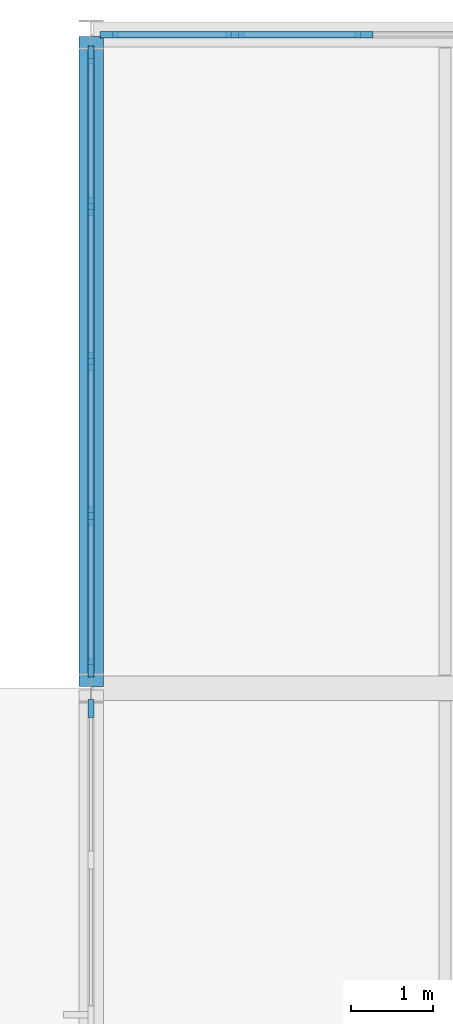
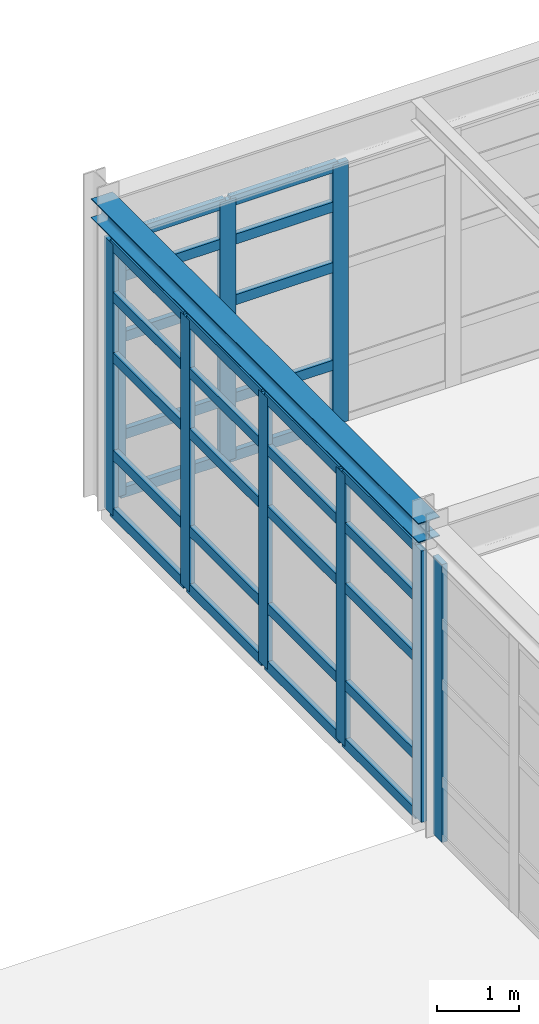
# One storey, part 60 of 139: 39 members, 1 beam, 3 elements without a shape of their own.
"""IFC4 building model written with IfcOpenShell, lengths in metres."""

from ifc_helpers import new_model, si_unit, direction, frame, origin, origin_2d, place, context, subcontext, project, spatial, rectangle, i_section, extrude, material, layer, layer_set, material_profile, profile_set, type_object, element, aggregate, save


model = new_model("IFC4")

# Units and contexts
model_context = context("Model", 3, precision=1e-05, world=origin(), true_north=direction((0.0, 1.0)))
body_context = subcontext(model_context, "Body", "Model", "MODEL_VIEW")
ifc_project = project(units=[si_unit("LENGTHUNIT", "METRE"), si_unit("AREAUNIT", "SQUARE_METRE"), si_unit("VOLUMEUNIT", "CUBIC_METRE"), si_unit("PLANEANGLEUNIT", "RADIAN"), si_unit("MASSUNIT", "GRAM", prefix="KILO"), si_unit("THERMODYNAMICTEMPERATUREUNIT", "KELVIN"), si_unit("POWERUNIT", "WATT")], contexts=[model_context])

# Site, building, storey
site_placement = place(None, origin())
site = spatial("IfcSite", under=ifc_project, at=site_placement, CompositionType="ELEMENT")
building_placement = place(site_placement, origin())
building = spatial("IfcBuilding", under=site, at=building_placement, Name="Korenveer Ferry Terminal", CompositionType="ELEMENT")
storey_placement = place(building_placement, frame((0.0, 0.0, 5.39990234375)))
storey = spatial("IfcBuildingStorey", under=building, at=storey_placement, Name="L01", CompositionType="ELEMENT", Elevation=5.39990234375)

# Curtain wall, members
ifc_material_1 = material(Name="Unitised bronze-and-glass curtain wall", Category="glass")
ifc_layer_1 = layer(ifc_material_1, 0.219970703125)
ifc_layer_set_1 = layer_set([ifc_layer_1], Name="Unitised bronze-and-glass curtain wall")
curtain_wall_type_1 = type_object("IfcCurtainWallType", Name="ENV-CW-57", PredefinedType="USERDEFINED", material=ifc_layer_set_1)
curtain_wall_1_placement = place(storey_placement, frame((123.179931640625, 116.0, 0.0)))
curtain_wall_1 = element("IfcCurtainWall", 1, at=curtain_wall_1_placement, inside=storey, type_object=curtain_wall_type_1, Name="Lancet curtain wall CWX-L01-X123-136-Y116-116", ObjectType="UNITISED CURTAIN WALL", PredefinedType="USERDEFINED")
ifc_material_2 = material(Name="Anodised bronze aluminium", Category="aluminium")
ifc_material_profile_1 = material_profile(ifc_material_2, rectangle(XDim=0.074951171875, YDim=0.219970703125, at=origin_2d()), Name="ALU 75x220")
ifc_profile_set_1 = profile_set([ifc_material_profile_1], Name="Anodised bronze aluminium")
member_type_1 = type_object("IfcMemberType", Name="ENV-CWM-75X220", PredefinedType="MULLION", material=ifc_profile_set_1)
member_1_placement = place(storey_placement, frame((123.217529296875, 116.0, 0.0), z_axis=(0.0, 0.0, 1.0), x_axis=(0.0, 1.0, 0.0)))
member_1 = element("IfcMember", 2, at=member_1_placement, type_object=member_type_1, Name="CW-57 mullion 1", PredefinedType="MULLION", context=body_context, shape_type="SweptSolid", body=[
    extrude(rectangle(XDim=0.074951171875, YDim=0.219970703125, at=origin_2d()), origin(), (0.0, 0.0, 1.0), 3.8701171875),
])
member_2_placement = place(storey_placement, frame((124.76171875, 116.0, 0.0), z_axis=(0.0, 0.0, 1.0), x_axis=(0.0, 1.0, 0.0)))
member_2 = element("IfcMember", 3, at=member_2_placement, type_object=member_type_1, Name="CW-57 mullion 2", PredefinedType="MULLION", context=body_context, shape_type="SweptSolid", body=[
    extrude(rectangle(XDim=0.074951171875, YDim=0.219970703125, at=origin_2d()), origin(), (0.0, 0.0, 1.0), 3.8701171875),
])
member_3_placement = place(storey_placement, frame((126.34326171875, 116.0, 0.0), z_axis=(0.0, 0.0, 1.0), x_axis=(0.0, 1.0, 0.0)))
member_3 = element("IfcMember", 4, at=member_3_placement, type_object=member_type_1, Name="CW-57 mullion 3", PredefinedType="MULLION", context=body_context, shape_type="SweptSolid", body=[
    extrude(rectangle(XDim=0.074951171875, YDim=0.219970703125, at=origin_2d()), origin(), (0.0, 0.0, 1.0), 3.8701171875),
])

# Curtain wall, member
ifc_layer_2 = layer(ifc_material_1, 0.219970703125)
ifc_layer_set_2 = layer_set([ifc_layer_2], Name="Unitised bronze-and-glass curtain wall")
curtain_wall_type_2 = type_object("IfcCurtainWallType", Name="ENV-CW-72", PredefinedType="USERDEFINED", material=ifc_layer_set_2)
curtain_wall_2_placement = place(storey_placement, frame((123.0, 100.2099609375, 0.0)))
curtain_wall_2 = element("IfcCurtainWall", 5, at=curtain_wall_2_placement, inside=storey, type_object=curtain_wall_type_2, Name="Lancet curtain wall CWX-L01-X123-123-Y100-108", ObjectType="UNITISED CURTAIN WALL", PredefinedType="USERDEFINED")
member_4_placement = place(storey_placement, frame((123.0, 107.75244140625, 0.0), z_axis=(0.0, 0.0, 1.0), x_axis=(-1.0, 0.0, 0.0)))
member_4 = element("IfcMember", 6, at=member_4_placement, type_object=member_type_1, Name="CW-72 mullion 5", PredefinedType="MULLION", context=body_context, shape_type="SweptSolid", body=[
    extrude(rectangle(XDim=0.074951171875, YDim=0.219970703125, at=origin_2d()), origin(), (0.0, 0.0, 1.0), 4.130126953125),
])
aggregate(curtain_wall_2, [member_4])

# Curtain wall, members
ifc_layer_3 = layer(ifc_material_1, 0.219970703125)
ifc_layer_set_3 = layer_set([ifc_layer_3], Name="Unitised bronze-and-glass curtain wall")
curtain_wall_type_3 = type_object("IfcCurtainWallType", Name="ENV-CW-75", PredefinedType="USERDEFINED", material=ifc_layer_set_3)
curtain_wall_3_placement = place(storey_placement, frame((123.0, 108.2099609375, 0.0)))
curtain_wall_3 = element("IfcCurtainWall", 7, at=curtain_wall_3_placement, inside=storey, type_object=curtain_wall_type_3, Name="Lancet curtain wall CWX-L01-X123-123-Y108-116", ObjectType="UNITISED CURTAIN WALL", PredefinedType="USERDEFINED")
member_5_placement = place(storey_placement, frame((123.0, 108.24755859375, 0.0), z_axis=(0.0, 0.0, 1.0), x_axis=(-1.0, 0.0, 0.0)))
member_5 = element("IfcMember", 8, at=member_5_placement, type_object=member_type_1, Name="CW-75 mullion 1", PredefinedType="MULLION", context=body_context, shape_type="SweptSolid", body=[
    extrude(rectangle(XDim=0.074951171875, YDim=0.219970703125, at=origin_2d()), origin(), (0.0, 0.0, 1.0), 4.030029296875),
])
member_6_placement = place(storey_placement, frame((123.0, 110.10498046875, 0.0), z_axis=(0.0, 0.0, 1.0), x_axis=(-1.0, 0.0, 0.0)))
member_6 = element("IfcMember", 9, at=member_6_placement, type_object=member_type_1, Name="CW-75 mullion 2", PredefinedType="MULLION", context=body_context, shape_type="SweptSolid", body=[
    extrude(rectangle(XDim=0.074951171875, YDim=0.219970703125, at=origin_2d()), origin(), (0.0, 0.0, 1.0), 4.030029296875),
])
member_7_placement = place(storey_placement, frame((123.0, 112.0, 0.0), z_axis=(0.0, 0.0, 1.0), x_axis=(-1.0, 0.0, 0.0)))
member_7 = element("IfcMember", 10, at=member_7_placement, type_object=member_type_1, Name="CW-75 mullion 3", PredefinedType="MULLION", context=body_context, shape_type="SweptSolid", body=[
    extrude(rectangle(XDim=0.074951171875, YDim=0.219970703125, at=origin_2d()), origin(), (0.0, 0.0, 1.0), 4.030029296875),
])
member_8_placement = place(storey_placement, frame((123.0, 113.89501953125, 0.0), z_axis=(0.0, 0.0, 1.0), x_axis=(-1.0, 0.0, 0.0)))
member_8 = element("IfcMember", 11, at=member_8_placement, type_object=member_type_1, Name="CW-75 mullion 4", PredefinedType="MULLION", context=body_context, shape_type="SweptSolid", body=[
    extrude(rectangle(XDim=0.074951171875, YDim=0.219970703125, at=origin_2d()), origin(), (0.0, 0.0, 1.0), 4.030029296875),
])
member_9_placement = place(storey_placement, frame((123.0, 115.75244140625, 0.0), z_axis=(0.0, 0.0, 1.0), x_axis=(-1.0, 0.0, 0.0)))
member_9 = element("IfcMember", 12, at=member_9_placement, type_object=member_type_1, Name="CW-75 mullion 5", PredefinedType="MULLION", context=body_context, shape_type="SweptSolid", body=[
    extrude(rectangle(XDim=0.074951171875, YDim=0.219970703125, at=origin_2d()), origin(), (0.0, 0.0, 1.0), 4.030029296875),
])

# Member
ifc_material_profile_2 = material_profile(ifc_material_2, rectangle(XDim=0.074951171875, YDim=0.14990234375, at=origin_2d()), Name="ALU 75x150")
ifc_profile_set_2 = profile_set([ifc_material_profile_2], Name="Anodised bronze aluminium")
member_type_2 = type_object("IfcMemberType", Name="ENV-CWT-75X150", PredefinedType="USERDEFINED", material=ifc_profile_set_2)
member_10_placement = place(storey_placement, frame((123.2548828125, 116.0, 0.03759765625), z_axis=(1.0, 0.0, 0.0), x_axis=(0.0, 1.0, 0.0)))
member_10 = element("IfcMember", 13, at=member_10_placement, type_object=member_type_2, Name="CW-57 transom 1.1", ObjectType="TRANSOM", PredefinedType="USERDEFINED", context=body_context, shape_type="SweptSolid", body=[
    extrude(rectangle(XDim=0.074951171875, YDim=0.14990234375, at=origin_2d()), origin(), (0.0, 0.0, 1.0), 1.46923828125),
])

member_11_placement = place(storey_placement, frame((123.2548828125, 116.0, 0.900146484375), z_axis=(1.0, 0.0, 0.0), x_axis=(0.0, 1.0, 0.0)))
member_11 = element("IfcMember", 14, at=member_11_placement, type_object=member_type_2, Name="CW-57 transom 1.2", ObjectType="TRANSOM", PredefinedType="USERDEFINED", context=body_context, shape_type="SweptSolid", body=[
    extrude(rectangle(XDim=0.074951171875, YDim=0.14990234375, at=origin_2d()), origin(), (0.0, 0.0, 1.0), 1.46923828125),
])

member_12_placement = place(storey_placement, frame((123.2548828125, 116.0, 2.35009765625), z_axis=(1.0, 0.0, 0.0), x_axis=(0.0, 1.0, 0.0)))
member_12 = element("IfcMember", 15, at=member_12_placement, type_object=member_type_2, Name="CW-57 transom 1.3", ObjectType="TRANSOM", PredefinedType="USERDEFINED", context=body_context, shape_type="SweptSolid", body=[
    extrude(rectangle(XDim=0.074951171875, YDim=0.14990234375, at=origin_2d()), origin(), (0.0, 0.0, 1.0), 1.46923828125),
])

member_13_placement = place(storey_placement, frame((123.2548828125, 116.0, 3.25), z_axis=(1.0, 0.0, 0.0), x_axis=(0.0, 1.0, 0.0)))
member_13 = element("IfcMember", 16, at=member_13_placement, type_object=member_type_2, Name="CW-57 transom 1.4", ObjectType="TRANSOM", PredefinedType="USERDEFINED", context=body_context, shape_type="SweptSolid", body=[
    extrude(rectangle(XDim=0.074951171875, YDim=0.14990234375, at=origin_2d()), origin(), (0.0, 0.0, 1.0), 1.46923828125),
])

member_14_placement = place(storey_placement, frame((123.2548828125, 116.0, 3.83251953125), z_axis=(1.0, 0.0, 0.0), x_axis=(0.0, 1.0, 0.0)))
member_14 = element("IfcMember", 17, at=member_14_placement, type_object=member_type_2, Name="CW-57 transom 1.5", ObjectType="TRANSOM", PredefinedType="USERDEFINED", context=body_context, shape_type="SweptSolid", body=[
    extrude(rectangle(XDim=0.074951171875, YDim=0.14990234375, at=origin_2d()), origin(), (0.0, 0.0, 1.0), 1.46923828125),
])

member_15_placement = place(storey_placement, frame((124.799072265625, 116.0, 0.03759765625), z_axis=(1.0, 0.0, 0.0), x_axis=(0.0, 1.0, 0.0)))
member_15 = element("IfcMember", 18, at=member_15_placement, type_object=member_type_2, Name="CW-57 transom 2.1", ObjectType="TRANSOM", PredefinedType="USERDEFINED", context=body_context, shape_type="SweptSolid", body=[
    extrude(rectangle(XDim=0.074951171875, YDim=0.14990234375, at=origin_2d()), origin(), (0.0, 0.0, 1.0), 1.5068359375),
])

member_16_placement = place(storey_placement, frame((124.799072265625, 116.0, 0.900146484375), z_axis=(1.0, 0.0, 0.0), x_axis=(0.0, 1.0, 0.0)))
member_16 = element("IfcMember", 19, at=member_16_placement, type_object=member_type_2, Name="CW-57 transom 2.2", ObjectType="TRANSOM", PredefinedType="USERDEFINED", context=body_context, shape_type="SweptSolid", body=[
    extrude(rectangle(XDim=0.074951171875, YDim=0.14990234375, at=origin_2d()), origin(), (0.0, 0.0, 1.0), 1.5068359375),
])

member_17_placement = place(storey_placement, frame((124.799072265625, 116.0, 2.35009765625), z_axis=(1.0, 0.0, 0.0), x_axis=(0.0, 1.0, 0.0)))
member_17 = element("IfcMember", 20, at=member_17_placement, type_object=member_type_2, Name="CW-57 transom 2.3", ObjectType="TRANSOM", PredefinedType="USERDEFINED", context=body_context, shape_type="SweptSolid", body=[
    extrude(rectangle(XDim=0.074951171875, YDim=0.14990234375, at=origin_2d()), origin(), (0.0, 0.0, 1.0), 1.5068359375),
])

member_18_placement = place(storey_placement, frame((124.799072265625, 116.0, 3.25), z_axis=(1.0, 0.0, 0.0), x_axis=(0.0, 1.0, 0.0)))
member_18 = element("IfcMember", 21, at=member_18_placement, type_object=member_type_2, Name="CW-57 transom 2.4", ObjectType="TRANSOM", PredefinedType="USERDEFINED", context=body_context, shape_type="SweptSolid", body=[
    extrude(rectangle(XDim=0.074951171875, YDim=0.14990234375, at=origin_2d()), origin(), (0.0, 0.0, 1.0), 1.5068359375),
])

member_19_placement = place(storey_placement, frame((124.799072265625, 116.0, 3.83251953125), z_axis=(1.0, 0.0, 0.0), x_axis=(0.0, 1.0, 0.0)))
member_19 = element("IfcMember", 22, at=member_19_placement, type_object=member_type_2, Name="CW-57 transom 2.5", ObjectType="TRANSOM", PredefinedType="USERDEFINED", context=body_context, shape_type="SweptSolid", body=[
    extrude(rectangle(XDim=0.074951171875, YDim=0.14990234375, at=origin_2d()), origin(), (0.0, 0.0, 1.0), 1.5068359375),
])

aggregate(curtain_wall_1, [member_1, member_2, member_3, member_10, member_11, member_12, member_13, member_14, member_15, member_16, member_17, member_18, member_19])

member_20_placement = place(storey_placement, frame((123.0, 108.284912109375, 0.03759765625), z_axis=(0.0, 1.0, 0.0), x_axis=(-1.0, 0.0, 0.0)))
member_20 = element("IfcMember", 23, at=member_20_placement, type_object=member_type_2, Name="CW-75 transom 1.1", ObjectType="TRANSOM", PredefinedType="USERDEFINED", context=body_context, shape_type="SweptSolid", body=[
    extrude(rectangle(XDim=0.074951171875, YDim=0.14990234375, at=origin_2d()), origin(), (0.0, 0.0, 1.0), 1.782470703125),
])

member_21_placement = place(storey_placement, frame((123.0, 108.284912109375, 0.900146484375), z_axis=(0.0, 1.0, 0.0), x_axis=(-1.0, 0.0, 0.0)))
member_21 = element("IfcMember", 24, at=member_21_placement, type_object=member_type_2, Name="CW-75 transom 1.2", ObjectType="TRANSOM", PredefinedType="USERDEFINED", context=body_context, shape_type="SweptSolid", body=[
    extrude(rectangle(XDim=0.074951171875, YDim=0.14990234375, at=origin_2d()), origin(), (0.0, 0.0, 1.0), 1.782470703125),
])

member_22_placement = place(storey_placement, frame((123.0, 108.284912109375, 2.35009765625), z_axis=(0.0, 1.0, 0.0), x_axis=(-1.0, 0.0, 0.0)))
member_22 = element("IfcMember", 25, at=member_22_placement, type_object=member_type_2, Name="CW-75 transom 1.3", ObjectType="TRANSOM", PredefinedType="USERDEFINED", context=body_context, shape_type="SweptSolid", body=[
    extrude(rectangle(XDim=0.074951171875, YDim=0.14990234375, at=origin_2d()), origin(), (0.0, 0.0, 1.0), 1.782470703125),
])

member_23_placement = place(storey_placement, frame((123.0, 108.284912109375, 3.25), z_axis=(0.0, 1.0, 0.0), x_axis=(-1.0, 0.0, 0.0)))
member_23 = element("IfcMember", 26, at=member_23_placement, type_object=member_type_2, Name="CW-75 transom 1.4", ObjectType="TRANSOM", PredefinedType="USERDEFINED", context=body_context, shape_type="SweptSolid", body=[
    extrude(rectangle(XDim=0.074951171875, YDim=0.14990234375, at=origin_2d()), origin(), (0.0, 0.0, 1.0), 1.782470703125),
])

member_24_placement = place(storey_placement, frame((123.0, 108.284912109375, 3.99267578125), z_axis=(0.0, 1.0, 0.0), x_axis=(-1.0, 0.0, 0.0)))
member_24 = element("IfcMember", 27, at=member_24_placement, type_object=member_type_2, Name="CW-75 transom 1.5", ObjectType="TRANSOM", PredefinedType="USERDEFINED", context=body_context, shape_type="SweptSolid", body=[
    extrude(rectangle(XDim=0.074951171875, YDim=0.14990234375, at=origin_2d()), origin(), (0.0, 0.0, 1.0), 1.782470703125),
])

member_25_placement = place(storey_placement, frame((123.0, 110.142578125, 0.03759765625), z_axis=(0.0, 1.0, 0.0), x_axis=(-1.0, 0.0, 0.0)))
member_25 = element("IfcMember", 28, at=member_25_placement, type_object=member_type_2, Name="CW-75 transom 2.1", ObjectType="TRANSOM", PredefinedType="USERDEFINED", context=body_context, shape_type="SweptSolid", body=[
    extrude(rectangle(XDim=0.074951171875, YDim=0.14990234375, at=origin_2d()), origin(), (0.0, 0.0, 1.0), 1.81982421875),
])

member_26_placement = place(storey_placement, frame((123.0, 110.142578125, 0.900146484375), z_axis=(0.0, 1.0, 0.0), x_axis=(-1.0, 0.0, 0.0)))
member_26 = element("IfcMember", 29, at=member_26_placement, type_object=member_type_2, Name="CW-75 transom 2.2", ObjectType="TRANSOM", PredefinedType="USERDEFINED", context=body_context, shape_type="SweptSolid", body=[
    extrude(rectangle(XDim=0.074951171875, YDim=0.14990234375, at=origin_2d()), origin(), (0.0, 0.0, 1.0), 1.81982421875),
])

member_27_placement = place(storey_placement, frame((123.0, 110.142578125, 2.35009765625), z_axis=(0.0, 1.0, 0.0), x_axis=(-1.0, 0.0, 0.0)))
member_27 = element("IfcMember", 30, at=member_27_placement, type_object=member_type_2, Name="CW-75 transom 2.3", ObjectType="TRANSOM", PredefinedType="USERDEFINED", context=body_context, shape_type="SweptSolid", body=[
    extrude(rectangle(XDim=0.074951171875, YDim=0.14990234375, at=origin_2d()), origin(), (0.0, 0.0, 1.0), 1.81982421875),
])

member_28_placement = place(storey_placement, frame((123.0, 110.142578125, 3.25), z_axis=(0.0, 1.0, 0.0), x_axis=(-1.0, 0.0, 0.0)))
member_28 = element("IfcMember", 31, at=member_28_placement, type_object=member_type_2, Name="CW-75 transom 2.4", ObjectType="TRANSOM", PredefinedType="USERDEFINED", context=body_context, shape_type="SweptSolid", body=[
    extrude(rectangle(XDim=0.074951171875, YDim=0.14990234375, at=origin_2d()), origin(), (0.0, 0.0, 1.0), 1.81982421875),
])

member_29_placement = place(storey_placement, frame((123.0, 110.142578125, 3.99267578125), z_axis=(0.0, 1.0, 0.0), x_axis=(-1.0, 0.0, 0.0)))
member_29 = element("IfcMember", 32, at=member_29_placement, type_object=member_type_2, Name="CW-75 transom 2.5", ObjectType="TRANSOM", PredefinedType="USERDEFINED", context=body_context, shape_type="SweptSolid", body=[
    extrude(rectangle(XDim=0.074951171875, YDim=0.14990234375, at=origin_2d()), origin(), (0.0, 0.0, 1.0), 1.81982421875),
])

member_30_placement = place(storey_placement, frame((123.0, 112.03759765625, 0.03759765625), z_axis=(0.0, 1.0, 0.0), x_axis=(-1.0, 0.0, 0.0)))
member_30 = element("IfcMember", 33, at=member_30_placement, type_object=member_type_2, Name="CW-75 transom 3.1", ObjectType="TRANSOM", PredefinedType="USERDEFINED", context=body_context, shape_type="SweptSolid", body=[
    extrude(rectangle(XDim=0.074951171875, YDim=0.14990234375, at=origin_2d()), origin(), (0.0, 0.0, 1.0), 1.81982421875),
])

member_31_placement = place(storey_placement, frame((123.0, 112.03759765625, 0.900146484375), z_axis=(0.0, 1.0, 0.0), x_axis=(-1.0, 0.0, 0.0)))
member_31 = element("IfcMember", 34, at=member_31_placement, type_object=member_type_2, Name="CW-75 transom 3.2", ObjectType="TRANSOM", PredefinedType="USERDEFINED", context=body_context, shape_type="SweptSolid", body=[
    extrude(rectangle(XDim=0.074951171875, YDim=0.14990234375, at=origin_2d()), origin(), (0.0, 0.0, 1.0), 1.81982421875),
])

member_32_placement = place(storey_placement, frame((123.0, 112.03759765625, 2.35009765625), z_axis=(0.0, 1.0, 0.0), x_axis=(-1.0, 0.0, 0.0)))
member_32 = element("IfcMember", 35, at=member_32_placement, type_object=member_type_2, Name="CW-75 transom 3.3", ObjectType="TRANSOM", PredefinedType="USERDEFINED", context=body_context, shape_type="SweptSolid", body=[
    extrude(rectangle(XDim=0.074951171875, YDim=0.14990234375, at=origin_2d()), origin(), (0.0, 0.0, 1.0), 1.81982421875),
])

member_33_placement = place(storey_placement, frame((123.0, 112.03759765625, 3.25), z_axis=(0.0, 1.0, 0.0), x_axis=(-1.0, 0.0, 0.0)))
member_33 = element("IfcMember", 36, at=member_33_placement, type_object=member_type_2, Name="CW-75 transom 3.4", ObjectType="TRANSOM", PredefinedType="USERDEFINED", context=body_context, shape_type="SweptSolid", body=[
    extrude(rectangle(XDim=0.074951171875, YDim=0.14990234375, at=origin_2d()), origin(), (0.0, 0.0, 1.0), 1.81982421875),
])

member_34_placement = place(storey_placement, frame((123.0, 112.03759765625, 3.99267578125), z_axis=(0.0, 1.0, 0.0), x_axis=(-1.0, 0.0, 0.0)))
member_34 = element("IfcMember", 37, at=member_34_placement, type_object=member_type_2, Name="CW-75 transom 3.5", ObjectType="TRANSOM", PredefinedType="USERDEFINED", context=body_context, shape_type="SweptSolid", body=[
    extrude(rectangle(XDim=0.074951171875, YDim=0.14990234375, at=origin_2d()), origin(), (0.0, 0.0, 1.0), 1.81982421875),
])

member_35_placement = place(storey_placement, frame((123.0, 113.9326171875, 0.03759765625), z_axis=(0.0, 1.0, 0.0), x_axis=(-1.0, 0.0, 0.0)))
member_35 = element("IfcMember", 38, at=member_35_placement, type_object=member_type_2, Name="CW-75 transom 4.1", ObjectType="TRANSOM", PredefinedType="USERDEFINED", context=body_context, shape_type="SweptSolid", body=[
    extrude(rectangle(XDim=0.074951171875, YDim=0.14990234375, at=origin_2d()), origin(), (0.0, 0.0, 1.0), 1.782470703125),
])

member_36_placement = place(storey_placement, frame((123.0, 113.9326171875, 0.900146484375), z_axis=(0.0, 1.0, 0.0), x_axis=(-1.0, 0.0, 0.0)))
member_36 = element("IfcMember", 39, at=member_36_placement, type_object=member_type_2, Name="CW-75 transom 4.2", ObjectType="TRANSOM", PredefinedType="USERDEFINED", context=body_context, shape_type="SweptSolid", body=[
    extrude(rectangle(XDim=0.074951171875, YDim=0.14990234375, at=origin_2d()), origin(), (0.0, 0.0, 1.0), 1.782470703125),
])

member_37_placement = place(storey_placement, frame((123.0, 113.9326171875, 2.35009765625), z_axis=(0.0, 1.0, 0.0), x_axis=(-1.0, 0.0, 0.0)))
member_37 = element("IfcMember", 40, at=member_37_placement, type_object=member_type_2, Name="CW-75 transom 4.3", ObjectType="TRANSOM", PredefinedType="USERDEFINED", context=body_context, shape_type="SweptSolid", body=[
    extrude(rectangle(XDim=0.074951171875, YDim=0.14990234375, at=origin_2d()), origin(), (0.0, 0.0, 1.0), 1.782470703125),
])

member_38_placement = place(storey_placement, frame((123.0, 113.9326171875, 3.25), z_axis=(0.0, 1.0, 0.0), x_axis=(-1.0, 0.0, 0.0)))
member_38 = element("IfcMember", 41, at=member_38_placement, type_object=member_type_2, Name="CW-75 transom 4.4", ObjectType="TRANSOM", PredefinedType="USERDEFINED", context=body_context, shape_type="SweptSolid", body=[
    extrude(rectangle(XDim=0.074951171875, YDim=0.14990234375, at=origin_2d()), origin(), (0.0, 0.0, 1.0), 1.782470703125),
])

member_39_placement = place(storey_placement, frame((123.0, 113.9326171875, 3.99267578125), z_axis=(0.0, 1.0, 0.0), x_axis=(-1.0, 0.0, 0.0)))
member_39 = element("IfcMember", 42, at=member_39_placement, type_object=member_type_2, Name="CW-75 transom 4.5", ObjectType="TRANSOM", PredefinedType="USERDEFINED", context=body_context, shape_type="SweptSolid", body=[
    extrude(rectangle(XDim=0.074951171875, YDim=0.14990234375, at=origin_2d()), origin(), (0.0, 0.0, 1.0), 1.782470703125),
])

aggregate(curtain_wall_3, [member_5, member_6, member_7, member_8, member_9, member_20, member_21, member_22, member_23, member_24, member_25, member_26, member_27, member_28, member_29, member_30, member_31, member_32, member_33, member_34, member_35, member_36, member_37, member_38, member_39])

# Beam
ifc_material_3 = material(Name="Steel S355", Category="steel")
ifc_material_profile_3 = material_profile(ifc_material_3, i_section(OverallWidth=0.300048828125, OverallDepth=0.2900390625, WebThickness=0.008544921875, FlangeThickness=0.013916015625, FilletRadius=0.027099609375, at=origin_2d()), Name="HEA 300")
ifc_profile_set_3 = profile_set([ifc_material_profile_3], Name="Steel S355")
beam_type = type_object("IfcBeamType", Name="STR-BM-HEA300", PredefinedType="BEAM", material=ifc_profile_set_3)
beam_placement = place(storey_placement, frame((123.0, 108.02001953125, 4.405029296875), z_axis=(0.0, 1.0, 0.0), x_axis=(-1.0, 0.0, 0.0)))
element("IfcBeam", 43, at=beam_placement, inside=storey, type_object=beam_type, Name="Primary Y girder BMY-L02-X123-Y108-116", PredefinedType="BEAM", context=body_context, shape_type="SweptSolid", body=[
    extrude(i_section(OverallWidth=0.300048828125, OverallDepth=0.2900390625, WebThickness=0.008544921875, FlangeThickness=0.013916015625, FilletRadius=0.027099609375, at=origin_2d()), origin(), (0.0, 0.0, 1.0), 7.9599609375),
])

save(model, "model.ifc")
